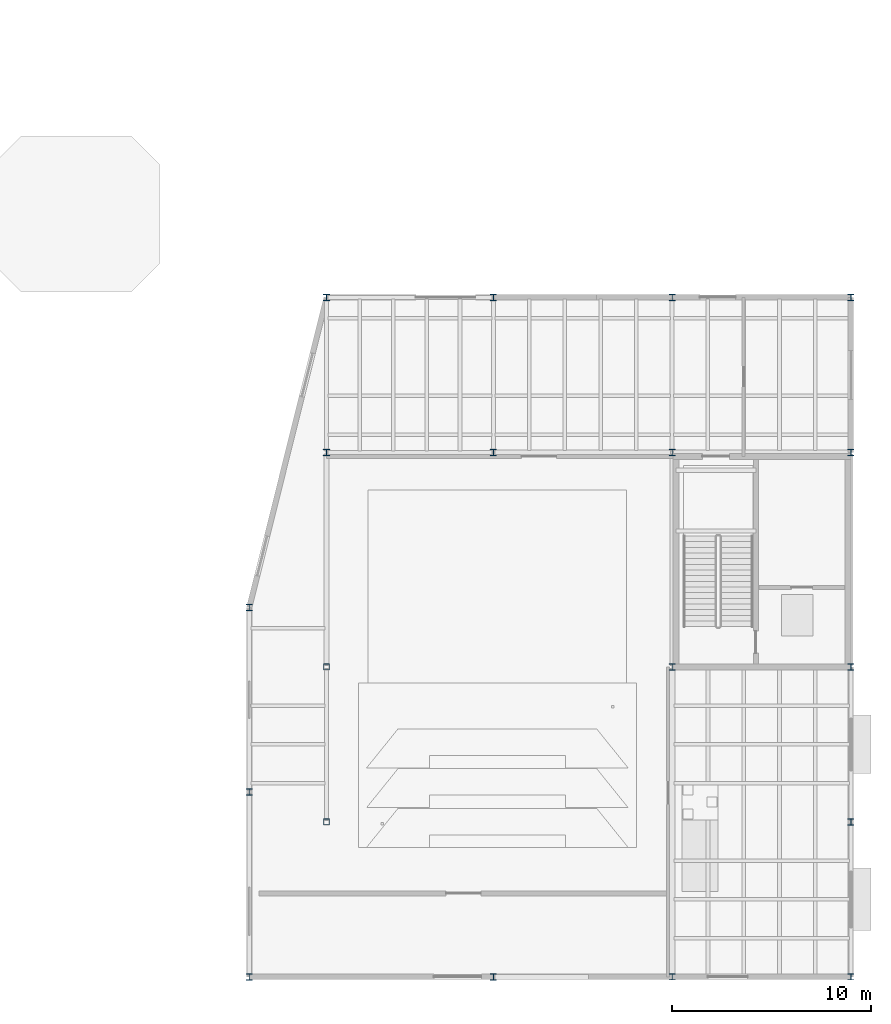
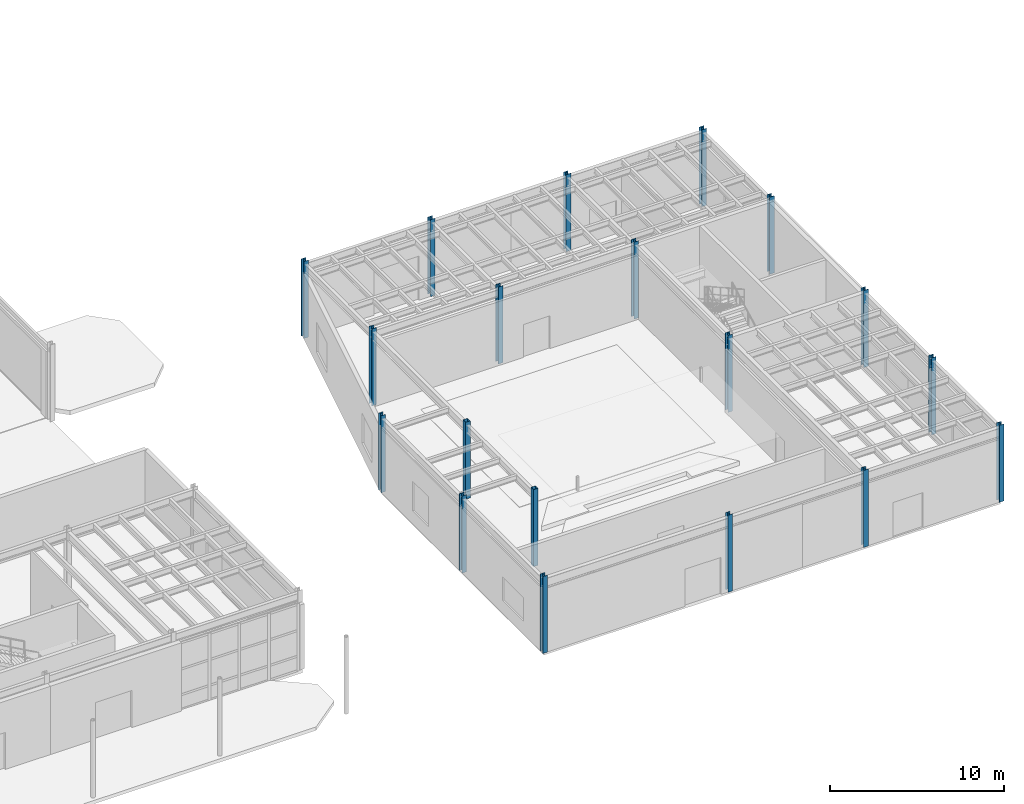
# One storey, part 17 of 87: 19 columns.
"""IFC4 building model written with IfcOpenShell, lengths in metres."""

from ifc_helpers import new_model, si_unit, direction, frame, origin, origin_2d, place, context, subcontext, project, spatial, hollow_rectangle, i_section, extrude, material, material_profile, profile_set, type_object, element, save


model = new_model("IFC4")

# Units and contexts
model_context = context("Model", 3, precision=1e-05, world=origin(), true_north=direction((0.0, 1.0)))
body_context = subcontext(model_context, "Body", "Model", "MODEL_VIEW")
ifc_project = project(units=[si_unit("LENGTHUNIT", "METRE"), si_unit("AREAUNIT", "SQUARE_METRE"), si_unit("VOLUMEUNIT", "CUBIC_METRE"), si_unit("PLANEANGLEUNIT", "RADIAN"), si_unit("MASSUNIT", "GRAM", prefix="KILO")], contexts=[model_context])

# Site, building, storey
site_placement = place(None, origin())
site = spatial("IfcSite", under=ifc_project, at=site_placement, CompositionType="ELEMENT")
building_placement = place(site_placement, origin())
building = spatial("IfcBuilding", under=site, at=building_placement, Name="Selat Folded Stagehouse", CompositionType="ELEMENT")
storey_placement = place(building_placement, origin())
storey = spatial("IfcBuildingStorey", under=building, at=storey_placement, Name="L00", CompositionType="ELEMENT", Elevation=0.0)

# Columns
ifc_material = material(Name="Steel S355", Category="steel")
ifc_material_profile_1 = material_profile(ifc_material, i_section(OverallWidth=0.30908203125, OverallDepth=0.320556640625, WebThickness=0.013916015625, FlangeThickness=0.021728515625, FilletRadius=0.01513671875, at=origin_2d()), Name="UKC 305x305x137")
ifc_profile_set_1 = profile_set([ifc_material_profile_1], Name="Steel S355")
column_type_1 = type_object("IfcColumnType", Name="COL-UKC-305x305x137", PredefinedType="COLUMN", material=ifc_profile_set_1)
for number, where, z_axis, x_axis, name in (
    (1, (130.510498046875, 0.0, 0.0), (0.0, 0.0, 1.0), (1.0, 0.0, 0.0), "L00 column STK-V3-00"),
    (2, (130.510498046875, 9.300048828125, 0.0), (0.0, 0.0, 1.0), (1.0, 0.0, 0.0), "L00 column STK-V3-01"),
    (3, (130.510498046875, 18.60009765625, 0.0), (0.0, 0.0, 1.0), (1.0, 0.0, 0.0), "L00 column STK-V3-02"),
    (4, (134.39990234375, 26.39990234375, 0.0), (0.0, 0.0, 1.0), (1.0, 0.0, 0.0), "L00 column STK-V3-03"),
    (5, (134.39990234375, 34.199951171875, 0.0), (0.0, 0.0, 1.0), (1.0, 0.0, 0.0), "L00 column STK-V3-04"),
    (6, (142.800048828125, 0.0, 0.0), (0.0, 0.0, 1.0), (1.0, 0.0, 0.0), "L00 column STK-V3-05"),
    (7, (142.800048828125, 26.39990234375, 0.0), (0.0, 0.0, 1.0), (1.0, 0.0, 0.0), "L00 column STK-V3-06"),
    (8, (142.800048828125, 34.199951171875, 0.0), (0.0, 0.0, 1.0), (1.0, 0.0, 0.0), "L00 column STK-V3-07"),
    (9, (151.800048828125, 0.0, 0.0), (0.0, 0.0, 1.0), (1.0, 0.0, 0.0), "L00 column STK-V3-08"),
    (10, (151.800048828125, 15.60009765625, 0.0), (0.0, 0.0, 1.0), (1.0, 0.0, 0.0), "L00 column STK-V3-09"),
    (11, (151.800048828125, 26.39990234375, 0.0), (0.0, 0.0, 1.0), (1.0, 0.0, 0.0), "L00 column STK-V3-10"),
    (12, (151.800048828125, 34.199951171875, 0.0), (0.0, 0.0, 1.0), (1.0, 0.0, 0.0), "L00 column STK-V3-11"),
    (13, (160.800048828125, 0.0, 0.0), (0.0, 0.0, 1.0), (1.0, 0.0, 0.0), "L00 column STK-V3-12"),
    (14, (160.800048828125, 7.800048828125, 0.0), (0.0, 0.0, 1.0), (1.0, 0.0, 0.0), "L00 column STK-V3-13"),
    (15, (160.800048828125, 15.60009765625, 0.0), (0.0, 0.0, 1.0), (1.0, 0.0, 0.0), "L00 column STK-V3-14"),
    (16, (160.800048828125, 26.39990234375, 0.0), (0.0, 0.0, 1.0), (1.0, 0.0, 0.0), "L00 column STK-V3-15"),
    (17, (160.800048828125, 34.199951171875, 0.0), (0.0, 0.0, 1.0), (1.0, 0.0, 0.0), "L00 column STK-V3-16"),
):
    element("IfcColumn", number, at=place(storey_placement, frame(where, z_axis=z_axis, x_axis=x_axis)), inside=storey, type_object=column_type_1, Name=name, PredefinedType="COLUMN", context=body_context, shape_type="SweptSolid", body=[
        extrude(i_section(OverallWidth=0.30908203125, OverallDepth=0.320556640625, WebThickness=0.013916015625, FlangeThickness=0.021728515625, FilletRadius=0.01513671875, at=origin_2d()), origin(), (0.0, 0.0, 1.0), 5.39990234375),
    ])
ifc_material_profile_2 = material_profile(ifc_material, hollow_rectangle(XDim=0.300048828125, YDim=0.300048828125, WallThickness=0.01611328125, at=origin_2d()), Name="SHS 300x300x16.0")
ifc_profile_set_2 = profile_set([ifc_material_profile_2], Name="Steel S355")
column_type_2 = type_object("IfcColumnType", Name="PIL-SHS-300x300", PredefinedType="PILASTER", material=ifc_profile_set_2)
for number, where, z_axis, x_axis, name in (
    (18, (134.39990234375, 7.800048828125, 0.0), (0.0, 0.0, 1.0), (1.0, 0.0, 0.0), "L00 pilaster 3"),
    (19, (134.39990234375, 15.60009765625, 0.0), (0.0, 0.0, 1.0), (1.0, 0.0, 0.0), "L00 pilaster 4"),
):
    element("IfcColumn", number, at=place(storey_placement, frame(where, z_axis=z_axis, x_axis=x_axis)), inside=storey, type_object=column_type_2, Name=name, PredefinedType="PILASTER", context=body_context, shape_type="SweptSolid", body=[
        extrude(hollow_rectangle(XDim=0.300048828125, YDim=0.300048828125, WallThickness=0.01611328125, at=origin_2d()), origin(), (0.0, 0.0, 1.0), 5.39990234375),
    ])

save(model, "model.ifc")
